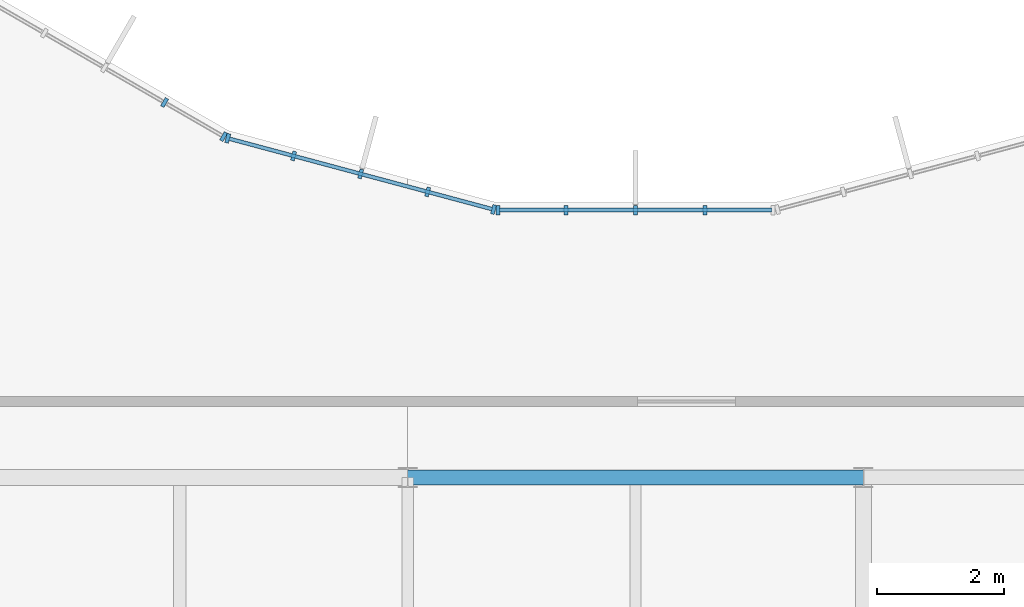
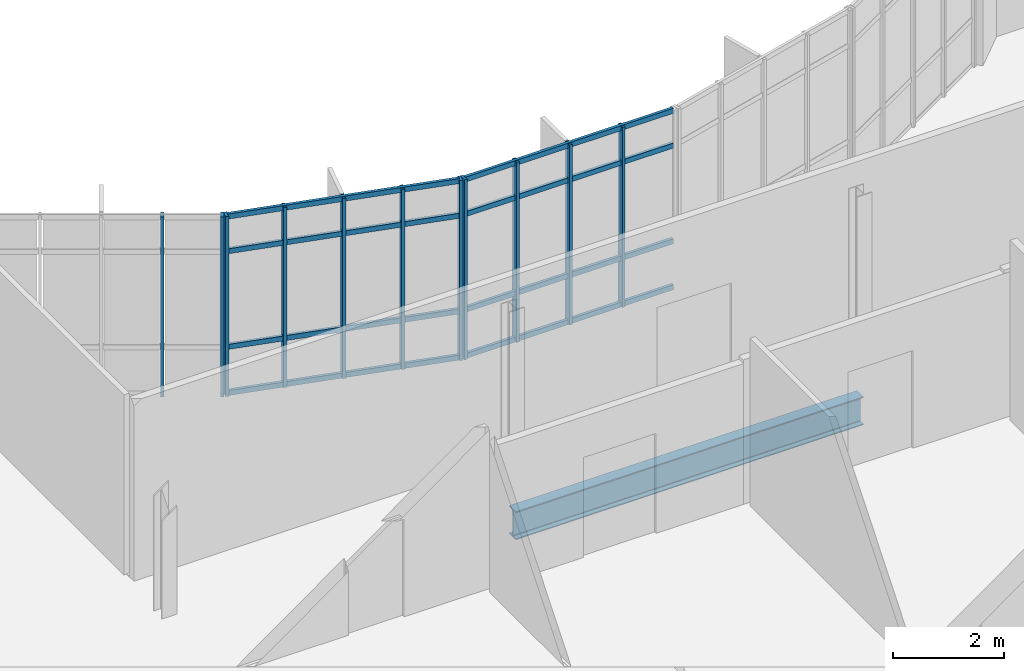
# One storey, part 17 of 61: 19 members, 1 beam, 3 elements without a shape of their own.
"""IFC4 building model written with IfcOpenShell, lengths in metres."""

from ifc_helpers import new_model, si_unit, direction, frame, origin, origin_2d, place, context, subcontext, project, spatial, rectangle, i_section, extrude, material, material_profile, profile_set, type_object, element, aggregate, save


model = new_model("IFC4")

# Units and contexts
model_context = context("Model", 3, precision=1e-05, world=origin(), true_north=direction((0.0, 1.0)))
body_context = subcontext(model_context, "Body", "Model", "MODEL_VIEW")
ifc_project = project(units=[si_unit("LENGTHUNIT", "METRE"), si_unit("AREAUNIT", "SQUARE_METRE"), si_unit("VOLUMEUNIT", "CUBIC_METRE"), si_unit("PLANEANGLEUNIT", "RADIAN"), si_unit("MASSUNIT", "GRAM", prefix="KILO")], contexts=[model_context])

# Site, building, storey
site_placement = place(None, origin())
site = spatial("IfcSite", under=ifc_project, at=site_placement, CompositionType="ELEMENT")
building_placement = place(site_placement, origin())
building = spatial("IfcBuilding", under=site, at=building_placement, Name="Qelthora Terrace Specialist Clinic", CompositionType="ELEMENT")
storey_placement = place(building_placement, frame((0.0, 0.0, 13.199951171875)))
storey = spatial("IfcBuildingStorey", under=building, at=storey_placement, Name="L03", CompositionType="ELEMENT", Elevation=13.199951171875)

# Beam
ifc_material_1 = material(Name="Steel S355", Category="steel")
ifc_material_profile_1 = material_profile(ifc_material_1, i_section(OverallWidth=0.22998046875, OverallDepth=0.616943359375, WebThickness=0.01318359375, FlangeThickness=0.022216796875, FilletRadius=0.01611328125, at=origin_2d()), Name="W610X140")
ifc_profile_set_1 = profile_set([ifc_material_profile_1], Name="Steel S355")
beam_type = type_object("IfcBeamType", Name="BM-W610X140", PredefinedType="BEAM", material=ifc_profile_set_1)
beam_placement = place(storey_placement, frame((122.39990234375, 42.0, -0.558349609375), z_axis=(1.0, 0.0, 0.0), x_axis=(0.0, 1.0, 0.0)))
element("IfcBeam", 1, at=beam_placement, inside=storey, type_object=beam_type, Name="Girder BMX-L03-0927", PredefinedType="BEAM", context=body_context, shape_type="SweptSolid", body=[
    extrude(i_section(OverallWidth=0.22998046875, OverallDepth=0.616943359375, WebThickness=0.01318359375, FlangeThickness=0.022216796875, FilletRadius=0.01611328125, at=origin_2d()), origin(), (0.0, 0.0, 1.0), 7.2001953125),
])

# Curtain wall, members
ifc_material_2 = material(Name="Aluminium anodized bronze", Category="aluminium")
curtain_wall_type = type_object("IfcCurtainWallType", Name="CW-CRTE-UPP", PredefinedType="NOTDEFINED", material=ifc_material_2)
curtain_wall_1_placement = place(storey_placement, origin())
curtain_wall_1 = element("IfcCurtainWall", 2, at=curtain_wall_1_placement, inside=storey, type_object=curtain_wall_type, Name="Curtain wall CW-CE-L03-16", PredefinedType="NOTDEFINED")
ifc_material_profile_2 = material_profile(ifc_material_2, rectangle(XDim=0.06005859375, YDim=0.14990234375, at=origin_2d()), Name="CWM60X150")
ifc_profile_set_2 = profile_set([ifc_material_profile_2], Name="Aluminium anodized bronze")
member_type_1 = type_object("IfcMemberType", Name="CWM-60X150", PredefinedType="MULLION", material=ifc_profile_set_2)
member_1_placement = place(storey_placement, frame((118.561279296875, 47.923095703125, 0.0), z_axis=(0.0, 0.0, 1.0), x_axis=(0.86602538709, -0.500000028915, 0.0)))
member_1 = element("IfcMember", 3, at=member_1_placement, type_object=member_type_1, Name="CW-CE-L03-16 mullion 4", PredefinedType="MULLION", context=body_context, shape_type="SweptSolid", body=[
    extrude(rectangle(XDim=0.06005859375, YDim=0.14990234375, at=origin_2d()), origin(), (0.0, 0.0, 1.0), 3.945068359375),
])
member_2_placement = place(storey_placement, frame((119.49365234375, 47.385009765625, 0.0), z_axis=(0.0, 0.0, 1.0), x_axis=(0.86602538709, -0.500000028915, 0.0)))
member_2 = element("IfcMember", 4, at=member_2_placement, type_object=member_type_1, Name="CW-CE-L03-16 mullion 5", PredefinedType="MULLION", context=body_context, shape_type="SweptSolid", body=[
    extrude(rectangle(XDim=0.06005859375, YDim=0.14990234375, at=origin_2d()), origin(), (0.0, 0.0, 1.0), 3.945068359375),
])
aggregate(curtain_wall_1, [member_1, member_2])

curtain_wall_2_placement = place(storey_placement, origin())
curtain_wall_2 = element("IfcCurtainWall", 5, at=curtain_wall_2_placement, inside=storey, type_object=curtain_wall_type, Name="Curtain wall CW-CE-L03-17", PredefinedType="NOTDEFINED")
member_3_placement = place(storey_placement, frame((119.55908203125, 47.357666015625, 0.0), z_axis=(0.0, 0.0, 1.0), x_axis=(0.965925660235, -0.258819664824, 0.0)))
member_3 = element("IfcMember", 6, at=member_3_placement, type_object=member_type_1, Name="CW-CE-L03-17 mullion 1", PredefinedType="MULLION", context=body_context, shape_type="SweptSolid", body=[
    extrude(rectangle(XDim=0.06005859375, YDim=0.14990234375, at=origin_2d()), origin(), (0.0, 0.0, 1.0), 3.945068359375),
])
member_4_placement = place(storey_placement, frame((120.598876953125, 47.0791015625, 0.0), z_axis=(0.0, 0.0, 1.0), x_axis=(0.965925660235, -0.258819664824, 0.0)))
member_4 = element("IfcMember", 7, at=member_4_placement, type_object=member_type_1, Name="CW-CE-L03-17 mullion 2", PredefinedType="MULLION", context=body_context, shape_type="SweptSolid", body=[
    extrude(rectangle(XDim=0.06005859375, YDim=0.14990234375, at=origin_2d()), origin(), (0.0, 0.0, 1.0), 3.945068359375),
])
member_5_placement = place(storey_placement, frame((121.657958984375, 46.79541015625, 0.0), z_axis=(0.0, 0.0, 1.0), x_axis=(0.965925660235, -0.258819664824, 0.0)))
member_5 = element("IfcMember", 8, at=member_5_placement, type_object=member_type_1, Name="CW-CE-L03-17 mullion 3", PredefinedType="MULLION", context=body_context, shape_type="SweptSolid", body=[
    extrude(rectangle(XDim=0.06005859375, YDim=0.14990234375, at=origin_2d()), origin(), (0.0, 0.0, 1.0), 3.945068359375),
])
member_6_placement = place(storey_placement, frame((122.717041015625, 46.511474609375, 0.0), z_axis=(0.0, 0.0, 1.0), x_axis=(0.965925660235, -0.258819664824, 0.0)))
member_6 = element("IfcMember", 9, at=member_6_placement, type_object=member_type_1, Name="CW-CE-L03-17 mullion 4", PredefinedType="MULLION", context=body_context, shape_type="SweptSolid", body=[
    extrude(rectangle(XDim=0.06005859375, YDim=0.14990234375, at=origin_2d()), origin(), (0.0, 0.0, 1.0), 3.945068359375),
])
member_7_placement = place(storey_placement, frame((123.7568359375, 46.23291015625, 0.0), z_axis=(0.0, 0.0, 1.0), x_axis=(0.965925660235, -0.258819664824, 0.0)))
member_7 = element("IfcMember", 10, at=member_7_placement, type_object=member_type_1, Name="CW-CE-L03-17 mullion 5", PredefinedType="MULLION", context=body_context, shape_type="SweptSolid", body=[
    extrude(rectangle(XDim=0.06005859375, YDim=0.14990234375, at=origin_2d()), origin(), (0.0, 0.0, 1.0), 3.945068359375),
])

curtain_wall_3_placement = place(storey_placement, origin())
curtain_wall_3 = element("IfcCurtainWall", 11, at=curtain_wall_3_placement, inside=storey, type_object=curtain_wall_type, Name="Curtain wall CW-CE-L03-18", PredefinedType="NOTDEFINED")
member_8_placement = place(storey_placement, frame((123.8271484375, 46.2236328125, 0.0), z_axis=(0.0, 0.0, 1.0), x_axis=(1.0, 0.0, 0.0)))
member_8 = element("IfcMember", 12, at=member_8_placement, type_object=member_type_1, Name="CW-CE-L03-18 mullion 1", PredefinedType="MULLION", context=body_context, shape_type="SweptSolid", body=[
    extrude(rectangle(XDim=0.06005859375, YDim=0.14990234375, at=origin_2d()), origin(), (0.0, 0.0, 1.0), 3.945068359375),
])
member_9_placement = place(storey_placement, frame((124.903564453125, 46.2236328125, 0.0), z_axis=(0.0, 0.0, 1.0), x_axis=(1.0, 0.0, 0.0)))
member_9 = element("IfcMember", 13, at=member_9_placement, type_object=member_type_1, Name="CW-CE-L03-18 mullion 2", PredefinedType="MULLION", context=body_context, shape_type="SweptSolid", body=[
    extrude(rectangle(XDim=0.06005859375, YDim=0.14990234375, at=origin_2d()), origin(), (0.0, 0.0, 1.0), 3.945068359375),
])
member_10_placement = place(storey_placement, frame((126.0, 46.2236328125, 0.0), z_axis=(0.0, 0.0, 1.0), x_axis=(1.0, 0.0, 0.0)))
member_10 = element("IfcMember", 14, at=member_10_placement, type_object=member_type_1, Name="CW-CE-L03-18 mullion 3", PredefinedType="MULLION", context=body_context, shape_type="SweptSolid", body=[
    extrude(rectangle(XDim=0.06005859375, YDim=0.14990234375, at=origin_2d()), origin(), (0.0, 0.0, 1.0), 3.945068359375),
])
member_11_placement = place(storey_placement, frame((127.096435546875, 46.2236328125, 0.0), z_axis=(0.0, 0.0, 1.0), x_axis=(1.0, 0.0, 0.0)))
member_11 = element("IfcMember", 15, at=member_11_placement, type_object=member_type_1, Name="CW-CE-L03-18 mullion 4", PredefinedType="MULLION", context=body_context, shape_type="SweptSolid", body=[
    extrude(rectangle(XDim=0.06005859375, YDim=0.14990234375, at=origin_2d()), origin(), (0.0, 0.0, 1.0), 3.945068359375),
])

# Member
ifc_material_profile_3 = material_profile(ifc_material_2, rectangle(XDim=0.06005859375, YDim=0.110107421875, at=origin_2d()), Name="CWT60X110")
ifc_profile_set_3 = profile_set([ifc_material_profile_3], Name="Aluminium anodized bronze")
member_type_2 = type_object("IfcMemberType", Name="CWT-60X110", PredefinedType="USERDEFINED", material=ifc_profile_set_3)
member_12_placement = place(storey_placement, frame((119.57861328125, 47.3525390625, 0.0400390625), z_axis=(0.965933119212, -0.25879182601, 0.0), x_axis=(0.25879182601, 0.965933119212, 0.0)))
member_12 = element("IfcMember", 16, at=member_12_placement, type_object=member_type_2, Name="CW-CE-L03-17 transom 1", ObjectType="TRANSOM", PredefinedType="USERDEFINED", context=body_context, shape_type="SweptSolid", body=[
    extrude(rectangle(XDim=0.06005859375, YDim=0.110107421875, at=origin_2d()), origin(), (0.0, 0.0, 1.0), 4.3056640625),
])

member_13_placement = place(storey_placement, frame((119.57861328125, 47.3525390625, 1.050048828125), z_axis=(0.965933119212, -0.25879182601, 0.0), x_axis=(0.25879182601, 0.965933119212, 0.0)))
member_13 = element("IfcMember", 17, at=member_13_placement, type_object=member_type_2, Name="CW-CE-L03-17 transom 2", ObjectType="TRANSOM", PredefinedType="USERDEFINED", context=body_context, shape_type="SweptSolid", body=[
    extrude(rectangle(XDim=0.06005859375, YDim=0.110107421875, at=origin_2d()), origin(), (0.0, 0.0, 1.0), 4.3056640625),
])

member_14_placement = place(storey_placement, frame((119.57861328125, 47.3525390625, 3.14501953125), z_axis=(0.965933119212, -0.25879182601, 0.0), x_axis=(0.25879182601, 0.965933119212, 0.0)))
member_14 = element("IfcMember", 18, at=member_14_placement, type_object=member_type_2, Name="CW-CE-L03-17 transom 3", ObjectType="TRANSOM", PredefinedType="USERDEFINED", context=body_context, shape_type="SweptSolid", body=[
    extrude(rectangle(XDim=0.06005859375, YDim=0.110107421875, at=origin_2d()), origin(), (0.0, 0.0, 1.0), 4.3056640625),
])

member_15_placement = place(storey_placement, frame((119.57861328125, 47.3525390625, 3.905029296875), z_axis=(0.965933119212, -0.25879182601, 0.0), x_axis=(0.25879182601, 0.965933119212, 0.0)))
member_15 = element("IfcMember", 19, at=member_15_placement, type_object=member_type_2, Name="CW-CE-L03-17 transom 4", ObjectType="TRANSOM", PredefinedType="USERDEFINED", context=body_context, shape_type="SweptSolid", body=[
    extrude(rectangle(XDim=0.06005859375, YDim=0.110107421875, at=origin_2d()), origin(), (0.0, 0.0, 1.0), 4.3056640625),
])

aggregate(curtain_wall_2, [member_3, member_4, member_5, member_6, member_7, member_12, member_13, member_14, member_15])

member_16_placement = place(storey_placement, frame((123.84716796875, 46.2236328125, 0.0400390625), z_axis=(1.0, 0.0, 0.0), x_axis=(0.0, 1.0, 0.0)))
member_16 = element("IfcMember", 20, at=member_16_placement, type_object=member_type_2, Name="CW-CE-L03-18 transom 1", ObjectType="TRANSOM", PredefinedType="USERDEFINED", context=body_context, shape_type="SweptSolid", body=[
    extrude(rectangle(XDim=0.06005859375, YDim=0.110107421875, at=origin_2d()), origin(), (0.0, 0.0, 1.0), 4.3056640625),
])

member_17_placement = place(storey_placement, frame((123.84716796875, 46.2236328125, 1.050048828125), z_axis=(1.0, 0.0, 0.0), x_axis=(0.0, 1.0, 0.0)))
member_17 = element("IfcMember", 21, at=member_17_placement, type_object=member_type_2, Name="CW-CE-L03-18 transom 2", ObjectType="TRANSOM", PredefinedType="USERDEFINED", context=body_context, shape_type="SweptSolid", body=[
    extrude(rectangle(XDim=0.06005859375, YDim=0.110107421875, at=origin_2d()), origin(), (0.0, 0.0, 1.0), 4.3056640625),
])

member_18_placement = place(storey_placement, frame((123.84716796875, 46.2236328125, 3.14501953125), z_axis=(1.0, 0.0, 0.0), x_axis=(0.0, 1.0, 0.0)))
member_18 = element("IfcMember", 22, at=member_18_placement, type_object=member_type_2, Name="CW-CE-L03-18 transom 3", ObjectType="TRANSOM", PredefinedType="USERDEFINED", context=body_context, shape_type="SweptSolid", body=[
    extrude(rectangle(XDim=0.06005859375, YDim=0.110107421875, at=origin_2d()), origin(), (0.0, 0.0, 1.0), 4.3056640625),
])

member_19_placement = place(storey_placement, frame((123.84716796875, 46.2236328125, 3.905029296875), z_axis=(1.0, 0.0, 0.0), x_axis=(0.0, 1.0, 0.0)))
member_19 = element("IfcMember", 23, at=member_19_placement, type_object=member_type_2, Name="CW-CE-L03-18 transom 4", ObjectType="TRANSOM", PredefinedType="USERDEFINED", context=body_context, shape_type="SweptSolid", body=[
    extrude(rectangle(XDim=0.06005859375, YDim=0.110107421875, at=origin_2d()), origin(), (0.0, 0.0, 1.0), 4.3056640625),
])

aggregate(curtain_wall_3, [member_8, member_9, member_10, member_11, member_16, member_17, member_18, member_19])

save(model, "model.ifc")
